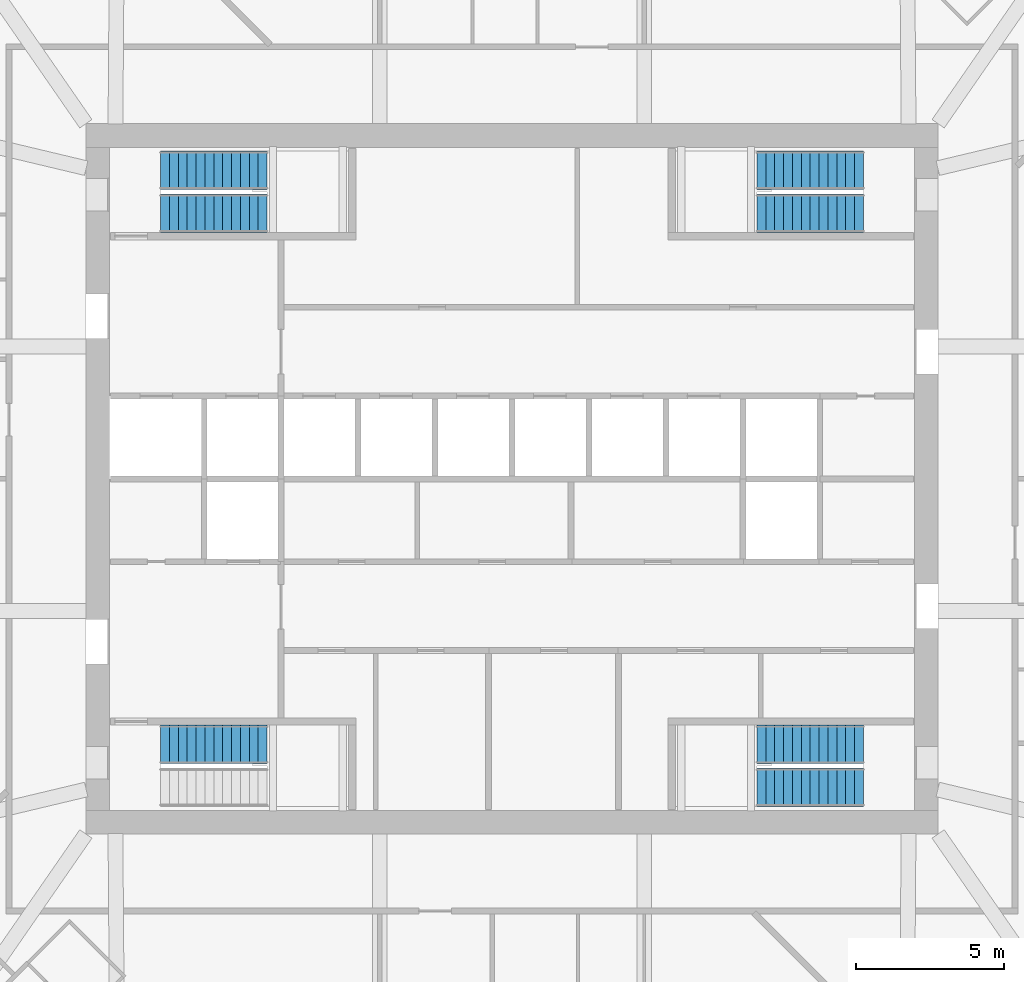
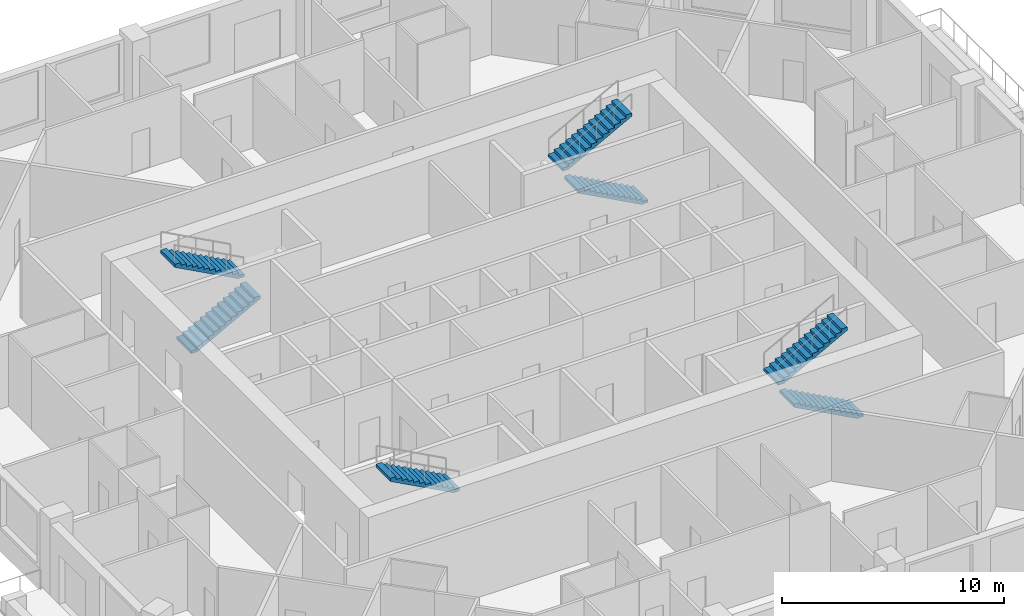
# One storey, part 11 of 13: 7 stair flights, 4 elements without a shape of their own.
"""IFC4 building model written with IfcOpenShell, lengths in metres."""

from ifc_helpers import new_model, si_unit, direction, frame, origin, place, context, subcontext, project, spatial, polyline, outline, extrude, material, type_object, element, aggregate, save


model = new_model("IFC4")

# Units and contexts
model_context = context("Model", 3, precision=1e-05, world=origin(), true_north=direction((0.0, 1.0)))
body_context = subcontext(model_context, "Body", "Model", "MODEL_VIEW")
ifc_project = project(units=[si_unit("LENGTHUNIT", "METRE"), si_unit("AREAUNIT", "SQUARE_METRE"), si_unit("VOLUMEUNIT", "CUBIC_METRE"), si_unit("PLANEANGLEUNIT", "RADIAN"), si_unit("MASSUNIT", "GRAM", prefix="KILO")], contexts=[model_context])

# Site, building, storey
site_placement = place(None, origin())
site = spatial("IfcSite", under=ifc_project, at=site_placement, CompositionType="ELEMENT")
building_placement = place(site_placement, origin())
building = spatial("IfcBuilding", under=site, at=building_placement, Name="Msitu Wima Residences", CompositionType="ELEMENT")
storey_placement = place(building_placement, frame((0.0, 0.0, 135.89990234375)))
storey = spatial("IfcBuildingStorey", under=building, at=storey_placement, Name="L31", CompositionType="ELEMENT", Elevation=135.89990234375)

# Stair, stair flights
ifc_material = material(Name="Concrete C40/50", Category="concrete")
stair_type = type_object("IfcStairType", Name="Exit stair ES1615-130", PredefinedType="HALF_TURN_STAIR", material=ifc_material)
stair_1_placement = place(storey_placement, origin())
stair_1 = element("IfcStair", 1, at=stair_1_placement, inside=storey, type_object=stair_type, Name="Exit stair 1", PredefinedType="HALF_TURN_STAIR")
stair_flight_type = type_object("IfcStairFlightType", Name="Exit stair flight ES1615-130", PredefinedType="STRAIGHT", material=ifc_material)
stair_flight_1_placement = place(storey_placement, frame((-11.875, 8.97509765625, 0.0), z_axis=(0.0, 0.0, 1.0), x_axis=(1.0, 0.0, 0.0)))
stair_flight_1 = element("IfcStairFlight", 2, at=stair_flight_1_placement, type_object=stair_flight_type, Name="S1 flight 1", NumberOfRisers=13, NumberOfTreads=12, PredefinedType="STRAIGHT", RiserHeight=0.161538462, TreadLength=0.3, context=body_context, shape_type="SweptSolid", body=[
    extrude(outline(polyline([(0.0, 0.0), (0.0, 0.16162109375), (0.300048828125, 0.16162109375), (0.300048828125, 0.322998046875), (0.60009765625, 0.322998046875), (0.60009765625, 0.484619140625), (0.89990234375, 0.484619140625), (0.89990234375, 0.646240234375), (1.199951171875, 0.646240234375), (1.199951171875, 0.8076171875), (1.5, 0.8076171875), (1.5, 0.96923828125), (1.800048828125, 0.96923828125), (1.800048828125, 1.130859375), (2.10009765625, 1.130859375), (2.10009765625, 1.292236328125), (2.39990234375, 1.292236328125), (2.39990234375, 1.453857421875), (2.699951171875, 1.453857421875), (2.699951171875, 1.615478515625), (3.0, 1.615478515625), (3.0, 1.77685546875), (3.300048828125, 1.77685546875), (3.300048828125, 1.9384765625), (3.60009765625, 1.9384765625), (3.60009765625, 2.10009765625), (3.60009765625, 1.768310546875), (0.316162109375, 0.0), (0.0, 0.0)])), frame((0.0, 0.64990234375, 0.0), z_axis=(0.0, -1.0, 0.0), x_axis=(1.0, 0.0, 0.0)), (0.0, 0.0, 1.0), 1.300048828125),
])
stair_flight_2_placement = place(storey_placement, frame((-8.27490234375, 10.425048828125, 2.10009765625), z_axis=(0.0, 0.0, 1.0), x_axis=(-1.0, 0.0, 0.0)))
stair_flight_2 = element("IfcStairFlight", 3, at=stair_flight_2_placement, type_object=stair_flight_type, Name="S1 flight 2", NumberOfRisers=13, NumberOfTreads=12, PredefinedType="STRAIGHT", RiserHeight=0.161538462, TreadLength=0.3, context=body_context, shape_type="SweptSolid", body=[
    extrude(outline(polyline([(0.0, 0.0), (0.0, 0.16162109375), (0.300048828125, 0.16162109375), (0.300048828125, 0.322998046875), (0.60009765625, 0.322998046875), (0.60009765625, 0.484619140625), (0.89990234375, 0.484619140625), (0.89990234375, 0.646240234375), (1.199951171875, 0.646240234375), (1.199951171875, 0.8076171875), (1.5, 0.8076171875), (1.5, 0.96923828125), (1.800048828125, 0.96923828125), (1.800048828125, 1.130859375), (2.10009765625, 1.130859375), (2.10009765625, 1.292236328125), (2.39990234375, 1.292236328125), (2.39990234375, 1.453857421875), (2.699951171875, 1.453857421875), (2.699951171875, 1.615478515625), (3.0, 1.615478515625), (3.0, 1.77685546875), (3.300048828125, 1.77685546875), (3.300048828125, 1.9384765625), (3.60009765625, 1.9384765625), (3.60009765625, 2.10009765625), (3.60009765625, 1.768310546875), (0.316162109375, 0.0), (0.0, 0.0)])), frame((0.0, 0.64990234375, 0.0), z_axis=(0.0, -1.0, 0.0), x_axis=(1.0, 0.0, 0.0)), (0.0, 0.0, 1.0), 1.300048828125),
])
aggregate(stair_1, [stair_flight_1, stair_flight_2])

# Stair, stair flight
stair_2_placement = place(storey_placement, origin())
stair_2 = element("IfcStair", 4, at=stair_2_placement, inside=storey, type_object=stair_type, Name="Exit stair 2", PredefinedType="HALF_TURN_STAIR")
stair_flight_3_placement = place(storey_placement, frame((-8.27490234375, -8.97509765625, 2.10009765625), z_axis=(0.0, 0.0, 1.0), x_axis=(-1.0, 0.0, 0.0)))
stair_flight_3 = element("IfcStairFlight", 5, at=stair_flight_3_placement, type_object=stair_flight_type, Name="S2 flight 2", NumberOfRisers=13, NumberOfTreads=12, PredefinedType="STRAIGHT", RiserHeight=0.161538462, TreadLength=0.3, context=body_context, shape_type="SweptSolid", body=[
    extrude(outline(polyline([(0.0, 0.0), (0.0, 0.16162109375), (0.300048828125, 0.16162109375), (0.300048828125, 0.322998046875), (0.60009765625, 0.322998046875), (0.60009765625, 0.484619140625), (0.89990234375, 0.484619140625), (0.89990234375, 0.646240234375), (1.199951171875, 0.646240234375), (1.199951171875, 0.8076171875), (1.5, 0.8076171875), (1.5, 0.96923828125), (1.800048828125, 0.96923828125), (1.800048828125, 1.130859375), (2.10009765625, 1.130859375), (2.10009765625, 1.292236328125), (2.39990234375, 1.292236328125), (2.39990234375, 1.453857421875), (2.699951171875, 1.453857421875), (2.699951171875, 1.615478515625), (3.0, 1.615478515625), (3.0, 1.77685546875), (3.300048828125, 1.77685546875), (3.300048828125, 1.9384765625), (3.60009765625, 1.9384765625), (3.60009765625, 2.10009765625), (3.60009765625, 1.768310546875), (0.316162109375, 0.0), (0.0, 0.0)])), frame((0.0, 0.64990234375, 0.0), z_axis=(0.0, -1.0, 0.0), x_axis=(1.0, 0.0, 0.0)), (0.0, 0.0, 1.0), 1.300048828125),
])
aggregate(stair_2, [stair_flight_3])

# Stair, stair flights
stair_3_placement = place(storey_placement, origin())
stair_3 = element("IfcStair", 6, at=stair_3_placement, inside=storey, type_object=stair_type, Name="Exit stair 3", PredefinedType="HALF_TURN_STAIR")
stair_flight_4_placement = place(storey_placement, frame((11.875, 8.97509765625, 0.0), z_axis=(0.0, 0.0, 1.0), x_axis=(-1.0, 0.0, 0.0)))
stair_flight_4 = element("IfcStairFlight", 7, at=stair_flight_4_placement, type_object=stair_flight_type, Name="S3 flight 1", NumberOfRisers=13, NumberOfTreads=12, PredefinedType="STRAIGHT", RiserHeight=0.161538462, TreadLength=0.3, context=body_context, shape_type="SweptSolid", body=[
    extrude(outline(polyline([(0.0, 0.0), (0.0, 0.16162109375), (0.300048828125, 0.16162109375), (0.300048828125, 0.322998046875), (0.60009765625, 0.322998046875), (0.60009765625, 0.484619140625), (0.89990234375, 0.484619140625), (0.89990234375, 0.646240234375), (1.199951171875, 0.646240234375), (1.199951171875, 0.8076171875), (1.5, 0.8076171875), (1.5, 0.96923828125), (1.800048828125, 0.96923828125), (1.800048828125, 1.130859375), (2.10009765625, 1.130859375), (2.10009765625, 1.292236328125), (2.39990234375, 1.292236328125), (2.39990234375, 1.453857421875), (2.699951171875, 1.453857421875), (2.699951171875, 1.615478515625), (3.0, 1.615478515625), (3.0, 1.77685546875), (3.300048828125, 1.77685546875), (3.300048828125, 1.9384765625), (3.60009765625, 1.9384765625), (3.60009765625, 2.10009765625), (3.60009765625, 1.768310546875), (0.316162109375, 0.0), (0.0, 0.0)])), frame((0.0, 0.64990234375, 0.0), z_axis=(0.0, -1.0, 0.0), x_axis=(1.0, 0.0, 0.0)), (0.0, 0.0, 1.0), 1.300048828125),
])
stair_flight_5_placement = place(storey_placement, frame((8.27490234375, 10.425048828125, 2.10009765625), z_axis=(0.0, 0.0, 1.0), x_axis=(1.0, 0.0, 0.0)))
stair_flight_5 = element("IfcStairFlight", 8, at=stair_flight_5_placement, type_object=stair_flight_type, Name="S3 flight 2", NumberOfRisers=13, NumberOfTreads=12, PredefinedType="STRAIGHT", RiserHeight=0.161538462, TreadLength=0.3, context=body_context, shape_type="SweptSolid", body=[
    extrude(outline(polyline([(0.0, 0.0), (0.0, 0.16162109375), (0.300048828125, 0.16162109375), (0.300048828125, 0.322998046875), (0.60009765625, 0.322998046875), (0.60009765625, 0.484619140625), (0.89990234375, 0.484619140625), (0.89990234375, 0.646240234375), (1.199951171875, 0.646240234375), (1.199951171875, 0.8076171875), (1.5, 0.8076171875), (1.5, 0.96923828125), (1.800048828125, 0.96923828125), (1.800048828125, 1.130859375), (2.10009765625, 1.130859375), (2.10009765625, 1.292236328125), (2.39990234375, 1.292236328125), (2.39990234375, 1.453857421875), (2.699951171875, 1.453857421875), (2.699951171875, 1.615478515625), (3.0, 1.615478515625), (3.0, 1.77685546875), (3.300048828125, 1.77685546875), (3.300048828125, 1.9384765625), (3.60009765625, 1.9384765625), (3.60009765625, 2.10009765625), (3.60009765625, 1.768310546875), (0.316162109375, 0.0), (0.0, 0.0)])), frame((0.0, 0.64990234375, 0.0), z_axis=(0.0, -1.0, 0.0), x_axis=(1.0, 0.0, 0.0)), (0.0, 0.0, 1.0), 1.300048828125),
])
aggregate(stair_3, [stair_flight_4, stair_flight_5])

stair_4_placement = place(storey_placement, origin())
stair_4 = element("IfcStair", 9, at=stair_4_placement, inside=storey, type_object=stair_type, Name="Exit stair 4", PredefinedType="HALF_TURN_STAIR")
stair_flight_6_placement = place(storey_placement, frame((11.875, -10.425048828125, 0.0), z_axis=(0.0, 0.0, 1.0), x_axis=(-1.0, 0.0, 0.0)))
stair_flight_6 = element("IfcStairFlight", 10, at=stair_flight_6_placement, type_object=stair_flight_type, Name="S4 flight 1", NumberOfRisers=13, NumberOfTreads=12, PredefinedType="STRAIGHT", RiserHeight=0.161538462, TreadLength=0.3, context=body_context, shape_type="SweptSolid", body=[
    extrude(outline(polyline([(0.0, 0.0), (0.0, 0.16162109375), (0.300048828125, 0.16162109375), (0.300048828125, 0.322998046875), (0.60009765625, 0.322998046875), (0.60009765625, 0.484619140625), (0.89990234375, 0.484619140625), (0.89990234375, 0.646240234375), (1.199951171875, 0.646240234375), (1.199951171875, 0.8076171875), (1.5, 0.8076171875), (1.5, 0.96923828125), (1.800048828125, 0.96923828125), (1.800048828125, 1.130859375), (2.10009765625, 1.130859375), (2.10009765625, 1.292236328125), (2.39990234375, 1.292236328125), (2.39990234375, 1.453857421875), (2.699951171875, 1.453857421875), (2.699951171875, 1.615478515625), (3.0, 1.615478515625), (3.0, 1.77685546875), (3.300048828125, 1.77685546875), (3.300048828125, 1.9384765625), (3.60009765625, 1.9384765625), (3.60009765625, 2.10009765625), (3.60009765625, 1.768310546875), (0.316162109375, 0.0), (0.0, 0.0)])), frame((0.0, 0.64990234375, 0.0), z_axis=(0.0, -1.0, 0.0), x_axis=(1.0, 0.0, 0.0)), (0.0, 0.0, 1.0), 1.300048828125),
])
stair_flight_7_placement = place(storey_placement, frame((8.27490234375, -8.97509765625, 2.10009765625), z_axis=(0.0, 0.0, 1.0), x_axis=(1.0, 0.0, 0.0)))
stair_flight_7 = element("IfcStairFlight", 11, at=stair_flight_7_placement, type_object=stair_flight_type, Name="S4 flight 2", NumberOfRisers=13, NumberOfTreads=12, PredefinedType="STRAIGHT", RiserHeight=0.161538462, TreadLength=0.3, context=body_context, shape_type="SweptSolid", body=[
    extrude(outline(polyline([(0.0, 0.0), (0.0, 0.16162109375), (0.300048828125, 0.16162109375), (0.300048828125, 0.322998046875), (0.60009765625, 0.322998046875), (0.60009765625, 0.484619140625), (0.89990234375, 0.484619140625), (0.89990234375, 0.646240234375), (1.199951171875, 0.646240234375), (1.199951171875, 0.8076171875), (1.5, 0.8076171875), (1.5, 0.96923828125), (1.800048828125, 0.96923828125), (1.800048828125, 1.130859375), (2.10009765625, 1.130859375), (2.10009765625, 1.292236328125), (2.39990234375, 1.292236328125), (2.39990234375, 1.453857421875), (2.699951171875, 1.453857421875), (2.699951171875, 1.615478515625), (3.0, 1.615478515625), (3.0, 1.77685546875), (3.300048828125, 1.77685546875), (3.300048828125, 1.9384765625), (3.60009765625, 1.9384765625), (3.60009765625, 2.10009765625), (3.60009765625, 1.768310546875), (0.316162109375, 0.0), (0.0, 0.0)])), frame((0.0, 0.64990234375, 0.0), z_axis=(0.0, -1.0, 0.0), x_axis=(1.0, 0.0, 0.0)), (0.0, 0.0, 1.0), 1.300048828125),
])
aggregate(stair_4, [stair_flight_6, stair_flight_7])

save(model, "model.ifc")
